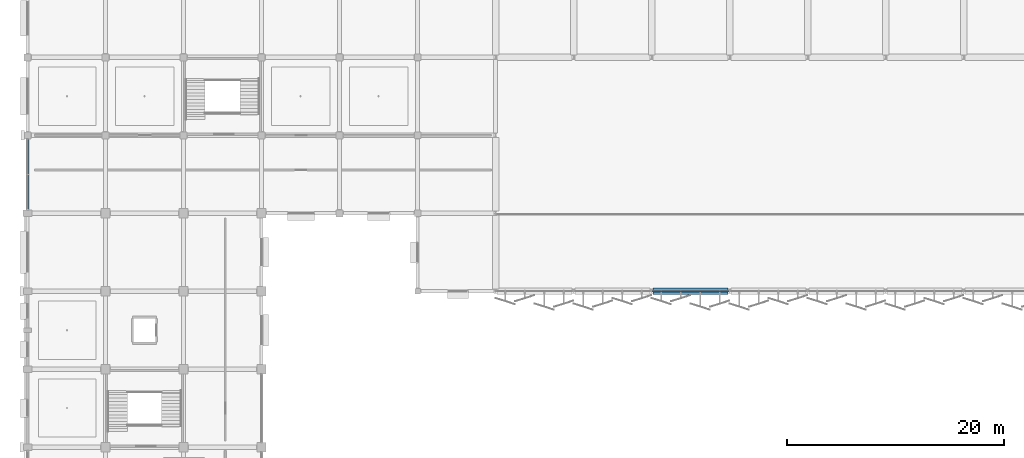
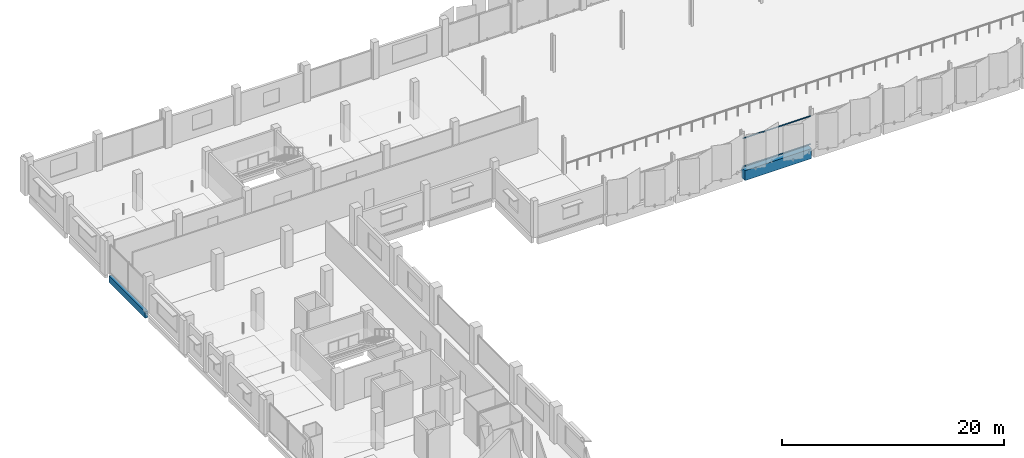
# One storey, part 31 of 107: 2 beams, 2 members, 1 element without a shape of its own.
"""IFC4 building model written with IfcOpenShell, lengths in metres."""

from ifc_helpers import new_model, si_unit, direction, frame, origin, origin_2d, place, context, subcontext, project, spatial, rectangle, hollow_rectangle, extrude, material, layer, layer_set, material_profile, profile_set, type_object, element, aggregate, save


model = new_model("IFC4")

# Units and contexts
model_context = context("Model", 3, precision=1e-05, world=origin(), true_north=direction((0.0, 1.0)))
body_context = subcontext(model_context, "Body", "Model", "MODEL_VIEW")
ifc_project = project(units=[si_unit("LENGTHUNIT", "METRE"), si_unit("AREAUNIT", "SQUARE_METRE"), si_unit("VOLUMEUNIT", "CUBIC_METRE"), si_unit("PLANEANGLEUNIT", "RADIAN"), si_unit("MASSUNIT", "GRAM", prefix="KILO")], contexts=[model_context])

# Site, building, storey
site_placement = place(None, origin())
site = spatial("IfcSite", under=ifc_project, at=site_placement, CompositionType="ELEMENT")
building_placement = place(site_placement, origin())
building = spatial("IfcBuilding", under=site, at=building_placement, Name="Kangsadwip Square Police Headquarters", CompositionType="ELEMENT")
storey_placement = place(building_placement, frame((0.0, 0.0, 5.39990234375)))
storey = spatial("IfcBuildingStorey", under=building, at=storey_placement, Name="L01", CompositionType="ELEMENT", Elevation=5.39990234375)

# Curtain wall, members
ifc_material_1 = material(Name="Thermally broken anodised aluminium AW-6063-T6", Category="aluminium")
ifc_layer = layer(ifc_material_1, 0.159912109375)
ifc_layer_set = layer_set([ifc_layer], Name="Thermally broken anodised aluminium AW-6063-T6")
curtain_wall_type = type_object("IfcCurtainWallType", Name="CourtScreen7180x3200", PredefinedType="USERDEFINED", material=ifc_layer_set)
curtain_wall_placement = place(storey_placement, origin())
curtain_wall = element("IfcCurtainWall", 1, at=curtain_wall_placement, inside=storey, type_object=curtain_wall_type, Name="Curtain Wall CW-L01-0576-0864", ObjectType="GLAZED_SCREEN", PredefinedType="USERDEFINED")
ifc_material_2 = material(Name="Thermally broken anodised aluminium AW-6063-T6", Category="aluminium")
ifc_material_profile_1 = material_profile(ifc_material_2, hollow_rectangle(XDim=0.06005859375, YDim=0.1201171875, WallThickness=0.00390625, at=origin_2d()), Name="CWT 120X60X4")
ifc_profile_set_1 = profile_set([ifc_material_profile_1], Name="Thermally broken anodised aluminium AW-6063-T6")
member_type = type_object("IfcMemberType", Name="CwTransom120x55", PredefinedType="USERDEFINED", material=ifc_profile_set_1)
member_1_placement = place(storey_placement, frame((57.669921875, 86.39990234375, 0.06005859375), z_axis=(1.0, 0.0, 0.0), x_axis=(0.0, 1.0, 0.0)))
member_1 = element("IfcMember", 2, at=member_1_placement, type_object=member_type, Name="CW-17 transom 1.1", ObjectType="TRANSOM", PredefinedType="USERDEFINED", context=body_context, shape_type="SweptSolid", body=[
    extrude(hollow_rectangle(XDim=0.06005859375, YDim=0.1201171875, WallThickness=0.00390625, at=origin_2d()), origin(), (0.0, 0.0, 1.0), 7.06005859375),
])
member_2_placement = place(storey_placement, frame((57.669921875, 86.39990234375, 3.14013671875), z_axis=(1.0, 0.0, 0.0), x_axis=(0.0, 1.0, 0.0)))
member_2 = element("IfcMember", 3, at=member_2_placement, type_object=member_type, Name="CW-17 transom 1.2", ObjectType="TRANSOM", PredefinedType="USERDEFINED", context=body_context, shape_type="SweptSolid", body=[
    extrude(hollow_rectangle(XDim=0.06005859375, YDim=0.1201171875, WallThickness=0.00390625, at=origin_2d()), origin(), (0.0, 0.0, 1.0), 7.06005859375),
])
aggregate(curtain_wall, [member_1, member_2])

# Beams
ifc_material_3 = material(Name="Concrete M40 (40 MPa)", Category="concrete")
ifc_material_profile_2 = material_profile(ifc_material_3, rectangle(XDim=0.300048828125, YDim=0.699951171875, at=origin_2d()), Name="RC SPN 700X300")
ifc_profile_set_2 = profile_set([ifc_material_profile_2], Name="Concrete M40 (40 MPa)")
beam_type_1 = type_object("IfcBeamType", Name="RcSpandrel700x300", PredefinedType="SPANDREL", material=ifc_profile_set_2)
beam_1_placement = place(storey_placement, frame((0.0, 93.89990234375, -0.58984375), z_axis=(0.0, 1.0, 0.0), x_axis=(-1.0, 0.0, 0.0)))
element("IfcBeam", 4, at=beam_1_placement, inside=storey, type_object=beam_type_1, Name="Beam BM-L01-Y-00-13", PredefinedType="SPANDREL", context=body_context, shape_type="SweptSolid", body=[
    extrude(rectangle(XDim=0.300048828125, YDim=0.699951171875, at=origin_2d()), origin(), (0.0, 0.0, 1.0), 6.550048828125),
])
ifc_material_4 = material(Name="Concrete M40 (40 MPa)", Category="concrete")
ifc_material_profile_3 = material_profile(ifc_material_4, rectangle(XDim=0.60009765625, YDim=1.10009765625, at=origin_2d()), Name="RC TG 1100X600")
ifc_profile_set_3 = profile_set([ifc_material_profile_3], Name="Concrete M40 (40 MPa)")
beam_type_2 = type_object("IfcBeamType", Name="RcTransfer1100x600", PredefinedType="USERDEFINED", material=ifc_profile_set_3)
beam_2_placement = place(storey_placement, frame((57.72509765625, 86.39990234375, -0.789794921875), z_axis=(1.0, 0.0, 0.0), x_axis=(0.0, 1.0, 0.0)))
element("IfcBeam", 5, at=beam_2_placement, inside=storey, type_object=beam_type_2, Name="Beam BM-L01-X-08-12", ObjectType="TRANSFER_GIRDER", PredefinedType="USERDEFINED", context=body_context, shape_type="SweptSolid", body=[
    extrude(rectangle(XDim=0.60009765625, YDim=1.10009765625, at=origin_2d()), origin(), (0.0, 0.0, 1.0), 6.949951171875),
])

save(model, "model.ifc")
